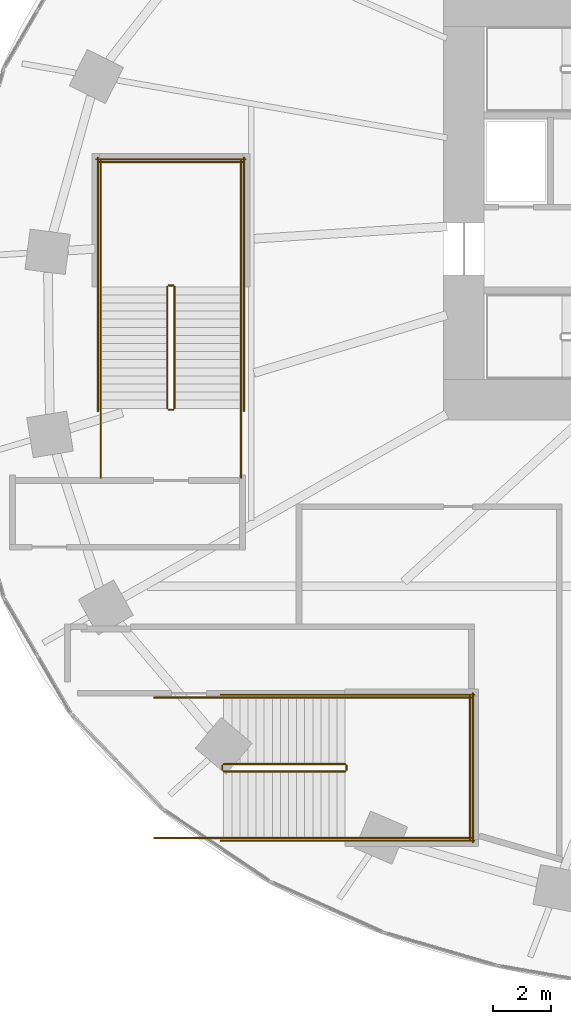
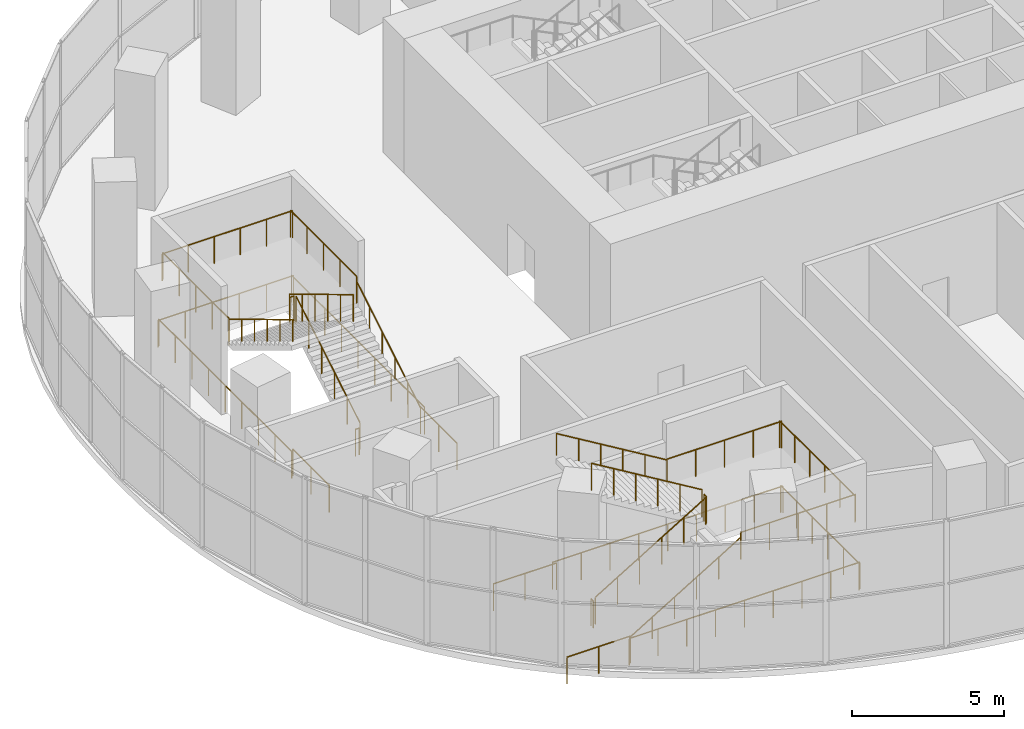
# One storey, part 16 of 20: 28 railings.
"""IFC4 building model written with IfcOpenShell, lengths in metres."""

from ifc_helpers import new_model, si_unit, direction, frame, origin, origin_2d, place, context, subcontext, project, spatial, circle, extrude, material, type_object, element, save


model = new_model("IFC4")

# Units and contexts
model_context = context("Model", 3, precision=1e-05, world=origin(), true_north=direction((0.0, 1.0)))
body_context = subcontext(model_context, "Body", "Model", "MODEL_VIEW")
ifc_project = project(units=[si_unit("LENGTHUNIT", "METRE"), si_unit("AREAUNIT", "SQUARE_METRE"), si_unit("VOLUMEUNIT", "CUBIC_METRE"), si_unit("PLANEANGLEUNIT", "RADIAN"), si_unit("MASSUNIT", "GRAM", prefix="KILO")], contexts=[model_context])

# Site, building, storey
site_placement = place(None, origin())
site = spatial("IfcSite", under=ifc_project, at=site_placement, CompositionType="ELEMENT")
building_placement = place(site_placement, origin())
building = spatial("IfcBuilding", under=site, at=building_placement, Name="Rubra Terraces Tower", CompositionType="ELEMENT")
storey_placement = place(building_placement, frame((0.0, 0.0, 22.800048828125)))
storey = spatial("IfcBuildingStorey", under=building, at=storey_placement, Name="L03", CompositionType="ELEMENT", Elevation=22.800048828125)

# Railings
ifc_material = material(Name="Stainless steel", Category="steel")
railing_type_1 = type_object("IfcRailingType", Name="Public stair guard 1100", PredefinedType="GUARDRAIL", material=ifc_material)
railing_1_placement = place(storey_placement, frame((-22.300048828125, -2.60009765625, 0.168701171875)))
element("IfcRailing", 1, at=railing_1_placement, inside=storey, type_object=railing_type_1, Name="L03 PS1 stair guard 1", PredefinedType="GUARDRAIL", context=body_context, shape_type="SweptSolid", body=[
    extrude(circle(Radius=0.02392578125, at=origin_2d()), frame((0.0, 0.0, 1.076171875), z_axis=(0.0, 0.856489757249, 0.516164020179), x_axis=(-1.0, 0.0, 0.0)), (0.0, 0.0, 1.0), 4.904052734375),
    extrude(circle(Radius=0.02099609375, at=origin_2d()), origin(), (0.0, 0.0, 1.0), 1.052001953125),
    extrude(circle(Radius=0.02099609375, at=origin_2d()), frame((0.0, 0.840087890625, 0.50634765625)), (0.0, 0.0, 1.0), 1.052001953125),
    extrude(circle(Radius=0.02099609375, at=origin_2d()), frame((0.0, 1.68017578125, 1.012451171875)), (0.0, 0.0, 1.0), 1.052001953125),
    extrude(circle(Radius=0.02099609375, at=origin_2d()), frame((0.0, 2.52001953125, 1.518798828125)), (0.0, 0.0, 1.0), 1.052001953125),
    extrude(circle(Radius=0.02099609375, at=origin_2d()), frame((0.0, 3.360107421875, 2.02490234375)), (0.0, 0.0, 1.0), 1.052001953125),
    extrude(circle(Radius=0.02099609375, at=origin_2d()), frame((0.0, 4.2001953125, 2.53125)), (0.0, 0.0, 1.0), 1.052001953125),
])
railing_2_placement = place(storey_placement, frame((-22.35009765625, 1.64990234375, 2.699951171875)))
element("IfcRailing", 2, at=railing_2_placement, inside=storey, type_object=railing_type_1, Name="L03 PS1 stair guard 2", PredefinedType="GUARDRAIL", context=body_context, shape_type="SweptSolid", body=[
    extrude(circle(Radius=0.02392578125, at=origin_2d()), frame((0.0, 0.0, 1.076171875), z_axis=(-1.0, 0.0, 0.0), x_axis=(0.0, -1.0, 0.0)), (0.0, 0.0, 1.0), 0.14990234375),
    extrude(circle(Radius=0.02099609375, at=origin_2d()), origin(), (0.0, 0.0, 1.0), 1.052001953125),
    extrude(circle(Radius=0.02099609375, at=origin_2d()), frame((-0.14990234375, 0.0, 0.0)), (0.0, 0.0, 1.0), 1.052001953125),
])
for number, where, name in (
    (3, (-20.0, 1.60009765625, 2.699951171875), "L03 PS1 stair guard 3"),
    (4, (-24.85009765625, 1.60009765625, 2.699951171875), "L03 PS1 stair guard 4"),
):
    element("IfcRailing", number, at=place(storey_placement, frame(where)), inside=storey, type_object=railing_type_1, Name=name, PredefinedType="GUARDRAIL", context=body_context, shape_type="SweptSolid", body=[
        extrude(circle(Radius=0.02392578125, at=origin_2d()), frame((0.0, 0.0, 1.076171875), z_axis=(0.0, 1.0, 0.0), x_axis=(-1.0, 0.0, 0.0)), (0.0, 0.0, 1.0), 4.35986328125),
        extrude(circle(Radius=0.02099609375, at=origin_2d()), origin(), (0.0, 0.0, 1.0), 1.052001953125),
        extrude(circle(Radius=0.02099609375, at=origin_2d()), frame((0.0, 1.08984375, 0.0)), (0.0, 0.0, 1.0), 1.052001953125),
        extrude(circle(Radius=0.02099609375, at=origin_2d()), frame((0.0, 2.179931640625, 0.0)), (0.0, 0.0, 1.0), 1.052001953125),
        extrude(circle(Radius=0.02099609375, at=origin_2d()), frame((0.0, 3.27001953125, 0.0)), (0.0, 0.0, 1.0), 1.052001953125),
        extrude(circle(Radius=0.02099609375, at=origin_2d()), frame((0.0, 4.35986328125, 0.0)), (0.0, 0.0, 1.0), 1.052001953125),
    ])
railing_3_placement = place(storey_placement, frame((-19.949951171875, 5.909912109375, 2.699951171875)))
element("IfcRailing", 5, at=railing_3_placement, inside=storey, type_object=railing_type_1, Name="L03 PS1 stair guard 5", PredefinedType="GUARDRAIL", context=body_context, shape_type="SweptSolid", body=[
    extrude(circle(Radius=0.02392578125, at=origin_2d()), frame((0.0, 0.0, 1.076171875), z_axis=(-1.0, 0.0, 0.0), x_axis=(0.0, -1.0, 0.0)), (0.0, 0.0, 1.0), 4.949951171875),
    extrude(circle(Radius=0.02099609375, at=origin_2d()), origin(), (0.0, 0.0, 1.0), 1.052001953125),
    extrude(circle(Radius=0.02099609375, at=origin_2d()), frame((-0.989990234375, 0.0, 0.0)), (0.0, 0.0, 1.0), 1.052001953125),
    extrude(circle(Radius=0.02099609375, at=origin_2d()), frame((-1.97998046875, 0.0, 0.0)), (0.0, 0.0, 1.0), 1.052001953125),
    extrude(circle(Radius=0.02099609375, at=origin_2d()), frame((-2.969970703125, 0.0, 0.0)), (0.0, 0.0, 1.0), 1.052001953125),
    extrude(circle(Radius=0.02099609375, at=origin_2d()), frame((-3.9599609375, 0.0, 0.0)), (0.0, 0.0, 1.0), 1.052001953125),
    extrude(circle(Radius=0.02099609375, at=origin_2d()), frame((-4.949951171875, 0.0, 0.0)), (0.0, 0.0, 1.0), 1.052001953125),
])
railing_4_placement = place(storey_placement, frame((-22.550048828125, 1.60009765625, 2.86865234375)))
element("IfcRailing", 6, at=railing_4_placement, inside=storey, type_object=railing_type_1, Name="L03 PS1 stair guard 6", PredefinedType="GUARDRAIL", context=body_context, shape_type="SweptSolid", body=[
    extrude(circle(Radius=0.02392578125, at=origin_2d()), frame((0.0, 0.0, 1.076171875), z_axis=(0.0, -0.856489757249, 0.516164020179), x_axis=(1.0, 0.0, 0.0)), (0.0, 0.0, 1.0), 4.904052734375),
    extrude(circle(Radius=0.02099609375, at=origin_2d()), origin(), (0.0, 0.0, 1.0), 1.052001953125),
    extrude(circle(Radius=0.02099609375, at=origin_2d()), frame((0.0, -0.840087890625, 0.50634765625)), (0.0, 0.0, 1.0), 1.052001953125),
    extrude(circle(Radius=0.02099609375, at=origin_2d()), frame((0.0, -1.68017578125, 1.012451171875)), (0.0, 0.0, 1.0), 1.052001953125),
    extrude(circle(Radius=0.02099609375, at=origin_2d()), frame((0.0, -2.52001953125, 1.518798828125)), (0.0, 0.0, 1.0), 1.052001953125),
    extrude(circle(Radius=0.02099609375, at=origin_2d()), frame((0.0, -3.360107421875, 2.02490234375)), (0.0, 0.0, 1.0), 1.052001953125),
    extrude(circle(Radius=0.02099609375, at=origin_2d()), frame((0.0, -4.2001953125, 2.53125)), (0.0, 0.0, 1.0), 1.052001953125),
])
railing_5_placement = place(storey_placement, frame((-22.35009765625, -2.64990234375, 0.0)))
element("IfcRailing", 7, at=railing_5_placement, inside=storey, type_object=railing_type_1, Name="L03 PS1 stair guard 7", PredefinedType="GUARDRAIL", context=body_context, shape_type="SweptSolid", body=[
    extrude(circle(Radius=0.02392578125, at=origin_2d()), frame((0.0, 0.0, 1.076171875), z_axis=(-1.0, 0.0, 0.0), x_axis=(0.0, -1.0, 0.0)), (0.0, 0.0, 1.0), 0.14990234375),
    extrude(circle(Radius=0.02099609375, at=origin_2d()), origin(), (0.0, 0.0, 1.0), 1.052001953125),
    extrude(circle(Radius=0.02099609375, at=origin_2d()), frame((-0.14990234375, 0.0, 0.0)), (0.0, 0.0, 1.0), 1.052001953125),
])
for number, where, name in (
    (8, (-20.0, -5.0, 0.0), "L03 PS1 stair guard 8"),
    (9, (-24.85009765625, -5.0, 0.0), "L03 PS1 stair guard 9"),
):
    element("IfcRailing", number, at=place(storey_placement, frame(where)), inside=storey, type_object=railing_type_1, Name=name, PredefinedType="GUARDRAIL", context=body_context, shape_type="SweptSolid", body=[
        extrude(circle(Radius=0.02392578125, at=origin_2d()), frame((0.0, 0.0, 1.076171875), z_axis=(0.0, 1.0, 0.0), x_axis=(-1.0, 0.0, 0.0)), (0.0, 0.0, 1.0), 2.39990234375),
        extrude(circle(Radius=0.02099609375, at=origin_2d()), origin(), (0.0, 0.0, 1.0), 1.052001953125),
        extrude(circle(Radius=0.02099609375, at=origin_2d()), frame((0.0, 1.199951171875, 0.0)), (0.0, 0.0, 1.0), 1.052001953125),
        extrude(circle(Radius=0.02099609375, at=origin_2d()), frame((0.0, 2.39990234375, 0.0)), (0.0, 0.0, 1.0), 1.052001953125),
    ])
for number, where, name in (
    (10, (-19.89990234375, -2.699951171875, 0.0), "L03 PS1 stair guard 10"),
    (11, (-24.949951171875, -2.699951171875, 0.0), "L03 PS1 stair guard 11"),
):
    element("IfcRailing", number, at=place(storey_placement, frame(where)), inside=storey, type_object=railing_type_1, Name=name, PredefinedType="GUARDRAIL", context=body_context, shape_type="SweptSolid", body=[
        extrude(circle(Radius=0.02392578125, at=origin_2d()), frame((0.0, 0.0, 1.076171875), z_axis=(0.0, 1.0, 0.0), x_axis=(-1.0, 0.0, 0.0)), (0.0, 0.0, 1.0), 8.760009765625),
        extrude(circle(Radius=0.02099609375, at=origin_2d()), origin(), (0.0, 0.0, 1.0), 1.052001953125),
        extrude(circle(Radius=0.02099609375, at=origin_2d()), frame((0.0, 1.094970703125, 0.0)), (0.0, 0.0, 1.0), 1.052001953125),
        extrude(circle(Radius=0.02099609375, at=origin_2d()), frame((0.0, 2.18994140625, 0.0)), (0.0, 0.0, 1.0), 1.052001953125),
        extrude(circle(Radius=0.02099609375, at=origin_2d()), frame((0.0, 3.284912109375, 0.0)), (0.0, 0.0, 1.0), 1.052001953125),
        extrude(circle(Radius=0.02099609375, at=origin_2d()), frame((0.0, 4.3798828125, 0.0)), (0.0, 0.0, 1.0), 1.052001953125),
        extrude(circle(Radius=0.02099609375, at=origin_2d()), frame((0.0, 5.47509765625, 0.0)), (0.0, 0.0, 1.0), 1.052001953125),
        extrude(circle(Radius=0.02099609375, at=origin_2d()), frame((0.0, 6.570068359375, 0.0)), (0.0, 0.0, 1.0), 1.052001953125),
        extrude(circle(Radius=0.02099609375, at=origin_2d()), frame((0.0, 7.6650390625, 0.0)), (0.0, 0.0, 1.0), 1.052001953125),
        extrude(circle(Radius=0.02099609375, at=origin_2d()), frame((0.0, 8.760009765625, 0.0)), (0.0, 0.0, 1.0), 1.052001953125),
    ])
railing_6_placement = place(storey_placement, frame((-19.85009765625, 6.010009765625, 0.0)))
element("IfcRailing", 12, at=railing_6_placement, inside=storey, type_object=railing_type_1, Name="L03 PS1 stair guard 12", PredefinedType="GUARDRAIL", context=body_context, shape_type="SweptSolid", body=[
    extrude(circle(Radius=0.02392578125, at=origin_2d()), frame((0.0, 0.0, 1.076171875), z_axis=(-1.0, 0.0, 0.0), x_axis=(0.0, -1.0, 0.0)), (0.0, 0.0, 1.0), 5.14990234375),
    extrude(circle(Radius=0.02099609375, at=origin_2d()), origin(), (0.0, 0.0, 1.0), 1.052001953125),
    extrude(circle(Radius=0.02099609375, at=origin_2d()), frame((-1.030029296875, 0.0, 0.0)), (0.0, 0.0, 1.0), 1.052001953125),
    extrude(circle(Radius=0.02099609375, at=origin_2d()), frame((-2.06005859375, 0.0, 0.0)), (0.0, 0.0, 1.0), 1.052001953125),
    extrude(circle(Radius=0.02099609375, at=origin_2d()), frame((-3.08984375, 0.0, 0.0)), (0.0, 0.0, 1.0), 1.052001953125),
    extrude(circle(Radius=0.02099609375, at=origin_2d()), frame((-4.119873046875, 0.0, 0.0)), (0.0, 0.0, 1.0), 1.052001953125),
    extrude(circle(Radius=0.02099609375, at=origin_2d()), frame((-5.14990234375, 0.0, 0.0)), (0.0, 0.0, 1.0), 1.052001953125),
])
railing_7_placement = place(storey_placement, frame((-20.60009765625, -15.14990234375, 0.168701171875)))
element("IfcRailing", 13, at=railing_7_placement, inside=storey, type_object=railing_type_1, Name="L03 PS3 stair guard 1", PredefinedType="GUARDRAIL", context=body_context, shape_type="SweptSolid", body=[
    extrude(circle(Radius=0.02392578125, at=origin_2d()), frame((0.0, 0.0, 1.076171875), z_axis=(0.856489757249, 0.0, 0.516164020179), x_axis=(0.0, 1.0, 0.0)), (0.0, 0.0, 1.0), 4.904052734375),
    extrude(circle(Radius=0.02099609375, at=origin_2d()), origin(), (0.0, 0.0, 1.0), 1.052001953125),
    extrude(circle(Radius=0.02099609375, at=origin_2d()), frame((0.840087890625, 0.0, 0.50634765625)), (0.0, 0.0, 1.0), 1.052001953125),
    extrude(circle(Radius=0.02099609375, at=origin_2d()), frame((1.68017578125, 0.0, 1.012451171875)), (0.0, 0.0, 1.0), 1.052001953125),
    extrude(circle(Radius=0.02099609375, at=origin_2d()), frame((2.52001953125, 0.0, 1.518798828125)), (0.0, 0.0, 1.0), 1.052001953125),
    extrude(circle(Radius=0.02099609375, at=origin_2d()), frame((3.360107421875, 0.0, 2.02490234375)), (0.0, 0.0, 1.0), 1.052001953125),
    extrude(circle(Radius=0.02099609375, at=origin_2d()), frame((4.2001953125, 0.0, 2.53125)), (0.0, 0.0, 1.0), 1.052001953125),
])
railing_8_placement = place(storey_placement, frame((-16.35009765625, -15.10009765625, 2.699951171875)))
element("IfcRailing", 14, at=railing_8_placement, inside=storey, type_object=railing_type_1, Name="L03 PS3 stair guard 2", PredefinedType="GUARDRAIL", context=body_context, shape_type="SweptSolid", body=[
    extrude(circle(Radius=0.02392578125, at=origin_2d()), frame((0.0, 0.0, 1.076171875), z_axis=(0.0, 1.0, 0.0), x_axis=(-1.0, 0.0, 0.0)), (0.0, 0.0, 1.0), 0.150146484375),
    extrude(circle(Radius=0.02099609375, at=origin_2d()), origin(), (0.0, 0.0, 1.0), 1.052001953125),
    extrude(circle(Radius=0.02099609375, at=origin_2d()), frame((0.0, 0.150146484375, 0.0)), (0.0, 0.0, 1.0), 1.052001953125),
])
for number, where, name in (
    (15, (-16.39990234375, -17.449951171875, 2.699951171875), "L03 PS3 stair guard 3"),
    (16, (-16.39990234375, -12.60009765625, 2.699951171875), "L03 PS3 stair guard 4"),
):
    element("IfcRailing", number, at=place(storey_placement, frame(where)), inside=storey, type_object=railing_type_1, Name=name, PredefinedType="GUARDRAIL", context=body_context, shape_type="SweptSolid", body=[
        extrude(circle(Radius=0.02392578125, at=origin_2d()), frame((0.0, 0.0, 1.076171875), z_axis=(1.0, 0.0, 0.0), x_axis=(0.0, 1.0, 0.0)), (0.0, 0.0, 1.0), 4.35986328125),
        extrude(circle(Radius=0.02099609375, at=origin_2d()), origin(), (0.0, 0.0, 1.0), 1.052001953125),
        extrude(circle(Radius=0.02099609375, at=origin_2d()), frame((1.08984375, 0.0, 0.0)), (0.0, 0.0, 1.0), 1.052001953125),
        extrude(circle(Radius=0.02099609375, at=origin_2d()), frame((2.179931640625, 0.0, 0.0)), (0.0, 0.0, 1.0), 1.052001953125),
        extrude(circle(Radius=0.02099609375, at=origin_2d()), frame((3.27001953125, 0.0, 0.0)), (0.0, 0.0, 1.0), 1.052001953125),
        extrude(circle(Radius=0.02099609375, at=origin_2d()), frame((4.35986328125, 0.0, 0.0)), (0.0, 0.0, 1.0), 1.052001953125),
    ])
railing_9_placement = place(storey_placement, frame((-12.090087890625, -17.5, 2.699951171875)))
element("IfcRailing", 17, at=railing_9_placement, inside=storey, type_object=railing_type_1, Name="L03 PS3 stair guard 5", PredefinedType="GUARDRAIL", context=body_context, shape_type="SweptSolid", body=[
    extrude(circle(Radius=0.02392578125, at=origin_2d()), frame((0.0, 0.0, 1.076171875), z_axis=(0.0, 1.0, 0.0), x_axis=(-1.0, 0.0, 0.0)), (0.0, 0.0, 1.0), 4.949951171875),
    extrude(circle(Radius=0.02099609375, at=origin_2d()), origin(), (0.0, 0.0, 1.0), 1.052001953125),
    extrude(circle(Radius=0.02099609375, at=origin_2d()), frame((0.0, 0.989990234375, 0.0)), (0.0, 0.0, 1.0), 1.052001953125),
    extrude(circle(Radius=0.02099609375, at=origin_2d()), frame((0.0, 1.97998046875, 0.0)), (0.0, 0.0, 1.0), 1.052001953125),
    extrude(circle(Radius=0.02099609375, at=origin_2d()), frame((0.0, 2.969970703125, 0.0)), (0.0, 0.0, 1.0), 1.052001953125),
    extrude(circle(Radius=0.02099609375, at=origin_2d()), frame((0.0, 3.9599609375, 0.0)), (0.0, 0.0, 1.0), 1.052001953125),
    extrude(circle(Radius=0.02099609375, at=origin_2d()), frame((0.0, 4.949951171875, 0.0)), (0.0, 0.0, 1.0), 1.052001953125),
])
railing_10_placement = place(storey_placement, frame((-16.39990234375, -14.89990234375, 2.86865234375)))
element("IfcRailing", 18, at=railing_10_placement, inside=storey, type_object=railing_type_1, Name="L03 PS3 stair guard 6", PredefinedType="GUARDRAIL", context=body_context, shape_type="SweptSolid", body=[
    extrude(circle(Radius=0.02392578125, at=origin_2d()), frame((0.0, 0.0, 1.076171875), z_axis=(-0.856489757249, 0.0, 0.516164020179), x_axis=(0.0, -1.0, 0.0)), (0.0, 0.0, 1.0), 4.904052734375),
    extrude(circle(Radius=0.02099609375, at=origin_2d()), origin(), (0.0, 0.0, 1.0), 1.052001953125),
    extrude(circle(Radius=0.02099609375, at=origin_2d()), frame((-0.840087890625, 0.0, 0.50634765625)), (0.0, 0.0, 1.0), 1.052001953125),
    extrude(circle(Radius=0.02099609375, at=origin_2d()), frame((-1.68017578125, 0.0, 1.012451171875)), (0.0, 0.0, 1.0), 1.052001953125),
    extrude(circle(Radius=0.02099609375, at=origin_2d()), frame((-2.52001953125, 0.0, 1.518798828125)), (0.0, 0.0, 1.0), 1.052001953125),
    extrude(circle(Radius=0.02099609375, at=origin_2d()), frame((-3.360107421875, 0.0, 2.02490234375)), (0.0, 0.0, 1.0), 1.052001953125),
    extrude(circle(Radius=0.02099609375, at=origin_2d()), frame((-4.2001953125, 0.0, 2.53125)), (0.0, 0.0, 1.0), 1.052001953125),
])
railing_11_placement = place(storey_placement, frame((-20.64990234375, -15.10009765625, 0.0)))
element("IfcRailing", 19, at=railing_11_placement, inside=storey, type_object=railing_type_1, Name="L03 PS3 stair guard 7", PredefinedType="GUARDRAIL", context=body_context, shape_type="SweptSolid", body=[
    extrude(circle(Radius=0.02392578125, at=origin_2d()), frame((0.0, 0.0, 1.076171875), z_axis=(0.0, 1.0, 0.0), x_axis=(-1.0, 0.0, 0.0)), (0.0, 0.0, 1.0), 0.150146484375),
    extrude(circle(Radius=0.02099609375, at=origin_2d()), origin(), (0.0, 0.0, 1.0), 1.052001953125),
    extrude(circle(Radius=0.02099609375, at=origin_2d()), frame((0.0, 0.150146484375, 0.0)), (0.0, 0.0, 1.0), 1.052001953125),
])
for number, where, name in (
    (20, (-23.0, -17.449951171875, 0.0), "L03 PS3 stair guard 8"),
    (21, (-23.0, -12.60009765625, 0.0), "L03 PS3 stair guard 9"),
):
    element("IfcRailing", number, at=place(storey_placement, frame(where)), inside=storey, type_object=railing_type_1, Name=name, PredefinedType="GUARDRAIL", context=body_context, shape_type="SweptSolid", body=[
        extrude(circle(Radius=0.02392578125, at=origin_2d()), frame((0.0, 0.0, 1.076171875), z_axis=(1.0, 0.0, 0.0), x_axis=(0.0, 1.0, 0.0)), (0.0, 0.0, 1.0), 2.39990234375),
        extrude(circle(Radius=0.02099609375, at=origin_2d()), origin(), (0.0, 0.0, 1.0), 1.052001953125),
        extrude(circle(Radius=0.02099609375, at=origin_2d()), frame((1.199951171875, 0.0, 0.0)), (0.0, 0.0, 1.0), 1.052001953125),
        extrude(circle(Radius=0.02099609375, at=origin_2d()), frame((2.39990234375, 0.0, 0.0)), (0.0, 0.0, 1.0), 1.052001953125),
    ])
for number, where, name in (
    (22, (-20.699951171875, -17.550048828125, 0.0), "L03 PS3 stair guard 10"),
    (23, (-20.699951171875, -12.5, 0.0), "L03 PS3 stair guard 11"),
):
    element("IfcRailing", number, at=place(storey_placement, frame(where)), inside=storey, type_object=railing_type_1, Name=name, PredefinedType="GUARDRAIL", context=body_context, shape_type="SweptSolid", body=[
        extrude(circle(Radius=0.02392578125, at=origin_2d()), frame((0.0, 0.0, 1.076171875), z_axis=(1.0, 0.0, 0.0), x_axis=(0.0, 1.0, 0.0)), (0.0, 0.0, 1.0), 8.760009765625),
        extrude(circle(Radius=0.02099609375, at=origin_2d()), origin(), (0.0, 0.0, 1.0), 1.052001953125),
        extrude(circle(Radius=0.02099609375, at=origin_2d()), frame((1.094970703125, 0.0, 0.0)), (0.0, 0.0, 1.0), 1.052001953125),
        extrude(circle(Radius=0.02099609375, at=origin_2d()), frame((2.18994140625, 0.0, 0.0)), (0.0, 0.0, 1.0), 1.052001953125),
        extrude(circle(Radius=0.02099609375, at=origin_2d()), frame((3.284912109375, 0.0, 0.0)), (0.0, 0.0, 1.0), 1.052001953125),
        extrude(circle(Radius=0.02099609375, at=origin_2d()), frame((4.3798828125, 0.0, 0.0)), (0.0, 0.0, 1.0), 1.052001953125),
        extrude(circle(Radius=0.02099609375, at=origin_2d()), frame((5.47509765625, 0.0, 0.0)), (0.0, 0.0, 1.0), 1.052001953125),
        extrude(circle(Radius=0.02099609375, at=origin_2d()), frame((6.570068359375, 0.0, 0.0)), (0.0, 0.0, 1.0), 1.052001953125),
        extrude(circle(Radius=0.02099609375, at=origin_2d()), frame((7.6650390625, 0.0, 0.0)), (0.0, 0.0, 1.0), 1.052001953125),
        extrude(circle(Radius=0.02099609375, at=origin_2d()), frame((8.760009765625, 0.0, 0.0)), (0.0, 0.0, 1.0), 1.052001953125),
    ])
railing_12_placement = place(storey_placement, frame((-11.989990234375, -17.60009765625, 0.0)))
element("IfcRailing", 24, at=railing_12_placement, inside=storey, type_object=railing_type_1, Name="L03 PS3 stair guard 12", PredefinedType="GUARDRAIL", context=body_context, shape_type="SweptSolid", body=[
    extrude(circle(Radius=0.02392578125, at=origin_2d()), frame((0.0, 0.0, 1.076171875), z_axis=(0.0, 1.0, 0.0), x_axis=(-1.0, 0.0, 0.0)), (0.0, 0.0, 1.0), 5.150146484375),
    extrude(circle(Radius=0.02099609375, at=origin_2d()), origin(), (0.0, 0.0, 1.0), 1.052001953125),
    extrude(circle(Radius=0.02099609375, at=origin_2d()), frame((0.0, 1.030029296875, 0.0)), (0.0, 0.0, 1.0), 1.052001953125),
    extrude(circle(Radius=0.02099609375, at=origin_2d()), frame((0.0, 2.06005859375, 0.0)), (0.0, 0.0, 1.0), 1.052001953125),
    extrude(circle(Radius=0.02099609375, at=origin_2d()), frame((0.0, 3.090087890625, 0.0)), (0.0, 0.0, 1.0), 1.052001953125),
    extrude(circle(Radius=0.02099609375, at=origin_2d()), frame((0.0, 4.1201171875, 0.0)), (0.0, 0.0, 1.0), 1.052001953125),
    extrude(circle(Radius=0.02099609375, at=origin_2d()), frame((0.0, 5.150146484375, 0.0)), (0.0, 0.0, 1.0), 1.052001953125),
])
railing_type_2 = type_object("IfcRailingType", Name="Public stair handrail 900", PredefinedType="HANDRAIL", material=ifc_material)
railing_13_placement = place(storey_placement, frame((-20.0, -2.60009765625, 0.168701171875)))
element("IfcRailing", 25, at=railing_13_placement, inside=storey, type_object=railing_type_2, Name="L03 PS1 stair handrail 1", PredefinedType="HANDRAIL", context=body_context, shape_type="SweptSolid", body=[
    extrude(circle(Radius=0.02392578125, at=origin_2d()), frame((0.0, 0.0, 0.8759765625), z_axis=(0.0, 0.856489757249, 0.516164020179), x_axis=(-1.0, 0.0, 0.0)), (0.0, 0.0, 1.0), 4.904052734375),
    extrude(circle(Radius=0.02099609375, at=origin_2d()), origin(), (0.0, 0.0, 1.0), 0.851806640625),
    extrude(circle(Radius=0.02099609375, at=origin_2d()), frame((0.0, 0.840087890625, 0.50634765625)), (0.0, 0.0, 1.0), 0.851806640625),
    extrude(circle(Radius=0.02099609375, at=origin_2d()), frame((0.0, 1.68017578125, 1.012451171875)), (0.0, 0.0, 1.0), 0.851806640625),
    extrude(circle(Radius=0.02099609375, at=origin_2d()), frame((0.0, 2.52001953125, 1.518798828125)), (0.0, 0.0, 1.0), 0.851806640625),
    extrude(circle(Radius=0.02099609375, at=origin_2d()), frame((0.0, 3.360107421875, 2.02490234375)), (0.0, 0.0, 1.0), 0.851806640625),
    extrude(circle(Radius=0.02099609375, at=origin_2d()), frame((0.0, 4.2001953125, 2.53125)), (0.0, 0.0, 1.0), 0.851806640625),
])
railing_14_placement = place(storey_placement, frame((-24.85009765625, 1.60009765625, 2.86865234375)))
element("IfcRailing", 26, at=railing_14_placement, inside=storey, type_object=railing_type_2, Name="L03 PS1 stair handrail 2", PredefinedType="HANDRAIL", context=body_context, shape_type="SweptSolid", body=[
    extrude(circle(Radius=0.02392578125, at=origin_2d()), frame((0.0, 0.0, 0.8759765625), z_axis=(0.0, -0.856489757249, 0.516164020179), x_axis=(1.0, 0.0, 0.0)), (0.0, 0.0, 1.0), 4.904052734375),
    extrude(circle(Radius=0.02099609375, at=origin_2d()), origin(), (0.0, 0.0, 1.0), 0.851806640625),
    extrude(circle(Radius=0.02099609375, at=origin_2d()), frame((0.0, -0.840087890625, 0.50634765625)), (0.0, 0.0, 1.0), 0.851806640625),
    extrude(circle(Radius=0.02099609375, at=origin_2d()), frame((0.0, -1.68017578125, 1.012451171875)), (0.0, 0.0, 1.0), 0.851806640625),
    extrude(circle(Radius=0.02099609375, at=origin_2d()), frame((0.0, -2.52001953125, 1.518798828125)), (0.0, 0.0, 1.0), 0.851806640625),
    extrude(circle(Radius=0.02099609375, at=origin_2d()), frame((0.0, -3.360107421875, 2.02490234375)), (0.0, 0.0, 1.0), 0.851806640625),
    extrude(circle(Radius=0.02099609375, at=origin_2d()), frame((0.0, -4.2001953125, 2.53125)), (0.0, 0.0, 1.0), 0.851806640625),
])
railing_15_placement = place(storey_placement, frame((-20.60009765625, -17.449951171875, 0.168701171875)))
element("IfcRailing", 27, at=railing_15_placement, inside=storey, type_object=railing_type_2, Name="L03 PS3 stair handrail 1", PredefinedType="HANDRAIL", context=body_context, shape_type="SweptSolid", body=[
    extrude(circle(Radius=0.02392578125, at=origin_2d()), frame((0.0, 0.0, 0.8759765625), z_axis=(0.856489757249, 0.0, 0.516164020179), x_axis=(0.0, 1.0, 0.0)), (0.0, 0.0, 1.0), 4.904052734375),
    extrude(circle(Radius=0.02099609375, at=origin_2d()), origin(), (0.0, 0.0, 1.0), 0.851806640625),
    extrude(circle(Radius=0.02099609375, at=origin_2d()), frame((0.840087890625, 0.0, 0.50634765625)), (0.0, 0.0, 1.0), 0.851806640625),
    extrude(circle(Radius=0.02099609375, at=origin_2d()), frame((1.68017578125, 0.0, 1.012451171875)), (0.0, 0.0, 1.0), 0.851806640625),
    extrude(circle(Radius=0.02099609375, at=origin_2d()), frame((2.52001953125, 0.0, 1.518798828125)), (0.0, 0.0, 1.0), 0.851806640625),
    extrude(circle(Radius=0.02099609375, at=origin_2d()), frame((3.360107421875, 0.0, 2.02490234375)), (0.0, 0.0, 1.0), 0.851806640625),
    extrude(circle(Radius=0.02099609375, at=origin_2d()), frame((4.2001953125, 0.0, 2.53125)), (0.0, 0.0, 1.0), 0.851806640625),
])
railing_16_placement = place(storey_placement, frame((-16.39990234375, -12.60009765625, 2.86865234375)))
element("IfcRailing", 28, at=railing_16_placement, inside=storey, type_object=railing_type_2, Name="L03 PS3 stair handrail 2", PredefinedType="HANDRAIL", context=body_context, shape_type="SweptSolid", body=[
    extrude(circle(Radius=0.02392578125, at=origin_2d()), frame((0.0, 0.0, 0.8759765625), z_axis=(-0.856489757249, 0.0, 0.516164020179), x_axis=(0.0, -1.0, 0.0)), (0.0, 0.0, 1.0), 4.904052734375),
    extrude(circle(Radius=0.02099609375, at=origin_2d()), origin(), (0.0, 0.0, 1.0), 0.851806640625),
    extrude(circle(Radius=0.02099609375, at=origin_2d()), frame((-0.840087890625, 0.0, 0.50634765625)), (0.0, 0.0, 1.0), 0.851806640625),
    extrude(circle(Radius=0.02099609375, at=origin_2d()), frame((-1.68017578125, 0.0, 1.012451171875)), (0.0, 0.0, 1.0), 0.851806640625),
    extrude(circle(Radius=0.02099609375, at=origin_2d()), frame((-2.52001953125, 0.0, 1.518798828125)), (0.0, 0.0, 1.0), 0.851806640625),
    extrude(circle(Radius=0.02099609375, at=origin_2d()), frame((-3.360107421875, 0.0, 2.02490234375)), (0.0, 0.0, 1.0), 0.851806640625),
    extrude(circle(Radius=0.02099609375, at=origin_2d()), frame((-4.2001953125, 0.0, 2.53125)), (0.0, 0.0, 1.0), 0.851806640625),
])

save(model, "model.ifc")
